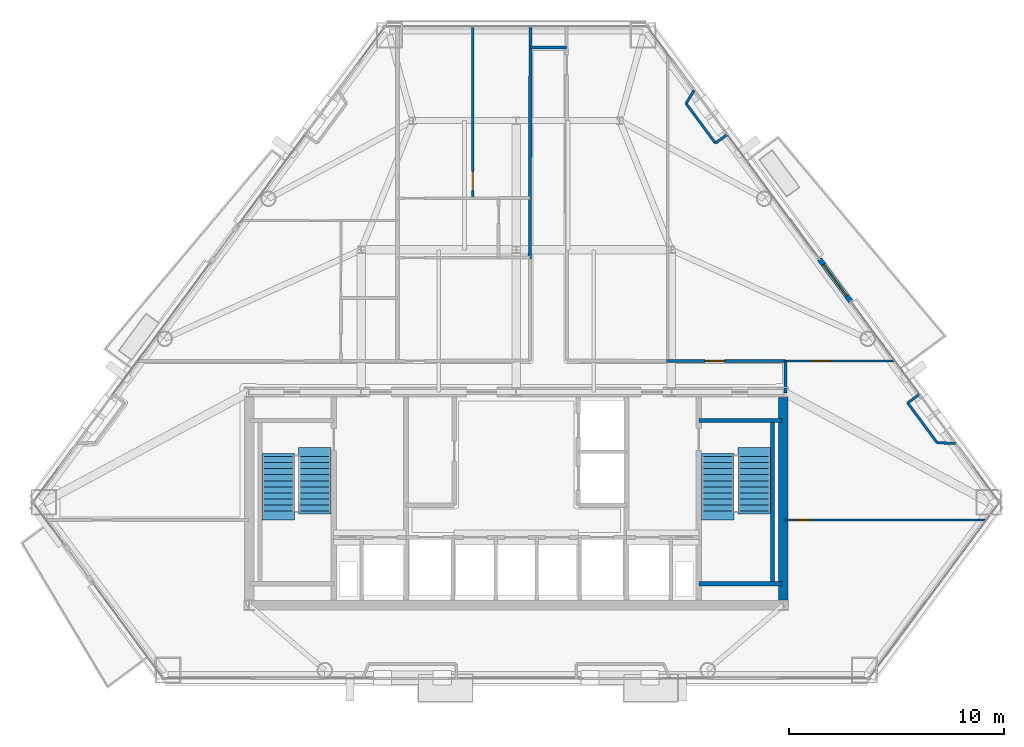
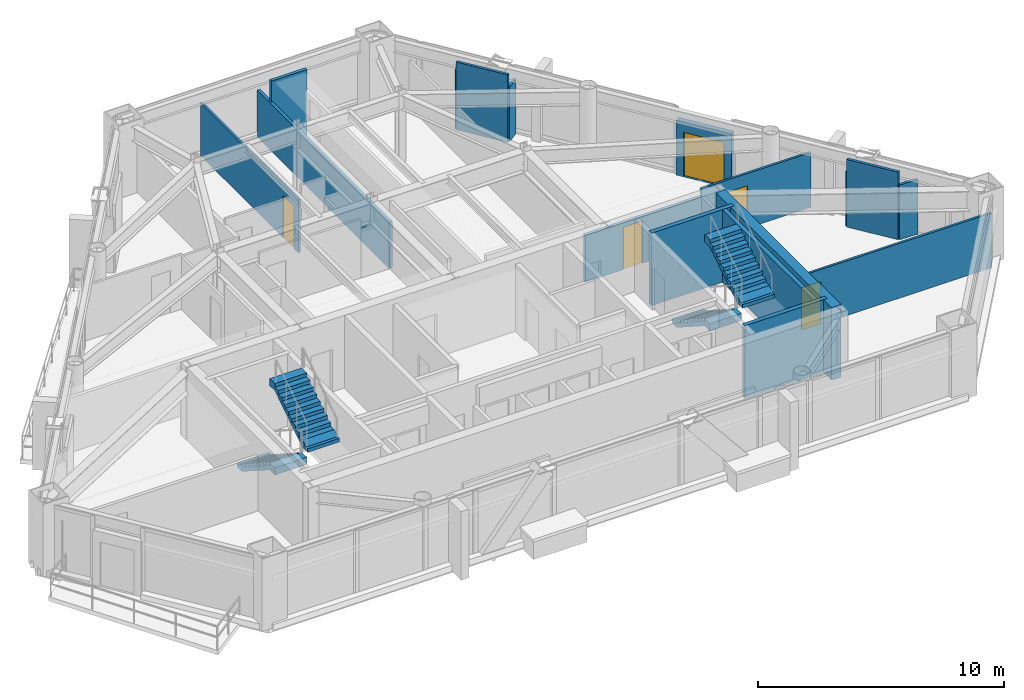
# One storey, part 10 of 13: 18 walls, 5 doors, 4 stair flights, 5 openings, 2 elements without a shape of their own.
"""IFC4 building model written with IfcOpenShell, lengths in metres."""

from ifc_helpers import new_model, si_unit, direction, frame, frame_2d, origin, place, context, subcontext, project, spatial, polyline, rectangle, outline, extrude, material, layer, layer_set, type_object, element, fill, aggregate, save


model = new_model("IFC4")

# Units and contexts
model_context = context("Model", 3, precision=1e-05, world=origin(), true_north=direction((0.0, 1.0)))
body_context = subcontext(model_context, "Body", "Model", "MODEL_VIEW")
ifc_project = project(units=[si_unit("LENGTHUNIT", "METRE"), si_unit("AREAUNIT", "SQUARE_METRE"), si_unit("VOLUMEUNIT", "CUBIC_METRE"), si_unit("PLANEANGLEUNIT", "RADIAN"), si_unit("MASSUNIT", "GRAM", prefix="KILO")], contexts=[model_context])

# Site, building, storey
site_placement = place(None, origin())
site = spatial("IfcSite", under=ifc_project, at=site_placement, CompositionType="ELEMENT")
building_placement = place(site_placement, origin())
building = spatial("IfcBuilding", under=site, at=building_placement, Name="Talgorran Terracotta Tower", CompositionType="ELEMENT")
storey_placement = place(building_placement, frame((0.0, 0.0, 106.800048828125)))
storey = spatial("IfcBuildingStorey", under=building, at=storey_placement, Name="L27", CompositionType="ELEMENT", Elevation=106.800048828125)

# Wall, opening, door
ifc_material_1 = material(Name="Concrete C40/50", Category="concrete")
ifc_layer_1 = layer(ifc_material_1, 0.239990234375, Name="WT_BALCONY_SPAND")
ifc_layer_set_1 = layer_set([ifc_layer_1], Name="Concrete C40/50")
wall_type_1 = type_object("IfcWallType", Name="WT_BALCONY_SPAND", PredefinedType="STANDARD", material=ifc_layer_set_1)
wall_1_placement = place(storey_placement, frame((15.52978515625, 0.010009765625, -0.01513671875), z_axis=(0.0, 0.0, 1.0), x_axis=(-0.594897308784, 0.803801711868, 0.0)))
wall_1 = element("IfcWall", 1, at=wall_1_placement, inside=storey, type_object=wall_type_1, Name="WL-L27-BALP-BAL-NE", PredefinedType="STANDARD", context=body_context, shape_type="SweptSolid", body=[
    extrude(rectangle(XDim=2.440185546875, YDim=0.239990234375, at=frame_2d((1.22021484375, 0.0))), origin(), (0.0, 0.0, 1.0), 2.728515625),
])
opening_1_placement = place(wall_1_placement, frame((0.320068359375, 0.0, 0.014892578125)))
opening_1 = element("IfcOpeningElement", 2, at=opening_1_placement, cuts=wall_1, Name="Opening D-BAL-L27-1", PredefinedType="OPENING", context=body_context, shape_type="SweptSolid", body=[
    extrude(rectangle(XDim=1.806048828125, YDim=2.203951171875, at=frame_2d((0.89990234375, 1.10205078125))), frame((0.0, 0.1298828125, 0.0), z_axis=(0.0, -1.0, 0.0), x_axis=(1.0, 0.0, 0.0)), (0.0, 0.0, 1.0), 0.260009765625),
])
ifc_material_2 = material(Name="Thermally Broken Aluminium", Category="aluminium")
door_type_1 = type_object("IfcDoorType", Name="DT_BALC_1800", OperationType="SLIDING_TO_LEFT", PredefinedType="DOOR", material=ifc_material_2)
door_1_placement = place(opening_1_placement, origin())
door_1 = element("IfcDoor", 3, at=door_1_placement, inside=storey, type_object=door_type_1, Name="DR-L27-BAL-BAL-NE", OperationType="SLIDING_TO_LEFT", OverallHeight=2.199951171875, OverallWidth=1.800048828125, PredefinedType="DOOR", context=body_context, shape_type="SweptSolid", body=[
    extrude(rectangle(XDim=1.800048828125, YDim=2.199951171875, at=frame_2d((0.89990234375, 1.10009765625))), frame((0.0, 0.02490234375, 0.0), z_axis=(0.0, -1.0, 0.0), x_axis=(1.0, 0.0, 0.0)), (0.0, 0.0, 1.0), 0.050048828125),
])
fill(opening_1, door_1)

# Walls
ifc_material_3 = material(Name="Concrete C50/60", Category="concrete")
ifc_layer_2 = layer(ifc_material_3, 0.199951171875, Name="WT_CORE_200")
ifc_layer_set_2 = layer_set([ifc_layer_2], Name="Concrete C50/60")
wall_type_2 = type_object("IfcWallType", Name="WT_CORE_200", PredefinedType="SOLIDWALL", material=ifc_layer_set_2)
for number, where, z_axis, x_axis, name in (
    (4, (8.47998046875, -5.52001953125, 0.0), (0.0, 0.0, 1.0), (1.0, 0.0, 0.0), "WL-L27-CW-ST2-N"),
    (5, (8.47998046875, -13.10009765625, 0.0), (0.0, 0.0, 1.0), (1.0, 0.0, 0.0), "WL-L27-CW-ST2-S"),
):
    element("IfcWall", number, at=place(storey_placement, frame(where, z_axis=z_axis, x_axis=x_axis)), inside=storey, type_object=wall_type_2, Name=name, PredefinedType="SOLIDWALL", context=body_context, shape_type="SweptSolid", body=[
        extrude(rectangle(XDim=3.8701171875, YDim=0.199951171875, at=frame_2d((1.93505859375, 0.0))), origin(), (0.0, 0.0, 1.0), 3.599853515625),
    ])
wall_2_placement = place(storey_placement, frame((11.89990234375, -13.10009765625, 0.0), z_axis=(0.0, 0.0, 1.0), x_axis=(0.0, 1.0, 0.0)))
element("IfcWall", 6, at=wall_2_placement, inside=storey, type_object=wall_type_2, Name="WL-L27-CW-ST2-E", PredefinedType="SOLIDWALL", context=body_context, shape_type="SweptSolid", body=[
    extrude(rectangle(XDim=7.580078125, YDim=0.199951171875, at=frame_2d((3.7900390625, 0.0))), origin(), (0.0, 0.0, 1.0), 3.599853515625),
])
ifc_material_4 = material(Name="Concrete C65/80", Category="concrete")
ifc_layer_3 = layer(ifc_material_4, 0.449951171875, Name="WT_CORE_EXT")
ifc_layer_set_3 = layer_set([ifc_layer_3], Name="Concrete C65/80")
wall_type_3 = type_object("IfcWallType", Name="WT_CORE_EXT", PredefinedType="SHEAR", material=ifc_layer_set_3)
wall_3_placement = place(storey_placement, frame((12.39990234375, -13.85009765625, 0.0), z_axis=(0.0, 0.0, 1.0), x_axis=(0.0, 1.0, 0.0)))
element("IfcWall", 7, at=wall_3_placement, inside=storey, type_object=wall_type_3, Name="WL-L27-CW-OUT-E", PredefinedType="SHEAR", context=body_context, shape_type="SweptSolid", body=[
    extrude(rectangle(XDim=9.400146484375, YDim=0.449951171875, at=frame_2d((4.7001953125, 0.0))), origin(), (0.0, 0.0, 1.0), 3.599853515625),
])
ifc_material_5 = material(Name="Fire-Rated Steel Stud Plasterboard", Category="steel")
ifc_layer_4 = layer(ifc_material_5, 0.14990234375, Name="WT_FIRE_150")
ifc_layer_set_4 = layer_set([ifc_layer_4], Name="Fire-Rated Steel Stud Plasterboard")
wall_type_4 = type_object("IfcWallType", Name="WT_FIRE_150", PredefinedType="PARTITIONING", material=ifc_layer_set_4)
wall_4_placement = place(storey_placement, frame((0.632080078125, 1.97998046875, 0.0), z_axis=(0.0, 0.0, 1.0), x_axis=(0.002830348232, 0.999995994556, 0.0)))
element("IfcWall", 8, at=wall_4_placement, inside=storey, type_object=wall_type_4, Name="WL-L27-W-L27-R06", PredefinedType="PARTITIONING", context=body_context, shape_type="SweptSolid", body=[
    extrude(rectangle(XDim=10.7822265625, YDim=0.14990234375, at=frame_2d((5.39111328125, 0.0))), origin(), (0.0, 0.0, 1.0), 2.324951171875),
])

# Wall, opening, door
wall_5_placement = place(storey_placement, frame((6.97998046875, -2.760009765625, 0.0), z_axis=(0.0, 0.0, 1.0), x_axis=(1.0, 0.0, 0.0)))
wall_5 = element("IfcWall", 9, at=wall_5_placement, inside=storey, type_object=wall_type_4, Name="WL-L27-W-L27-R11", PredefinedType="PARTITIONING", context=body_context, shape_type="SweptSolid", body=[
    extrude(rectangle(XDim=5.52001953125, YDim=0.14990234375, at=frame_2d((2.760009765625, 0.0))), origin(), (0.0, 0.0, 1.0), 2.324951171875),
])
opening_2_placement = place(wall_5_placement, frame((1.79248046875, 0.0, 0.0)))
opening_2 = element("IfcOpeningElement", 10, at=opening_2_placement, cuts=wall_5, Name="Opening DR-L27-R11", PredefinedType="OPENING", context=body_context, shape_type="SweptSolid", body=[
    extrude(rectangle(XDim=0.90590234375, YDim=2.10409765625, at=frame_2d((0.449951171875, 1.052001953125))), frame((0.0, 0.0849609375, 0.0), z_axis=(0.0, -1.0, 0.0), x_axis=(1.0, 0.0, 0.0)), (0.0, 0.0, 1.0), 0.169921875),
])
ifc_material_6 = material(Name="Fire-Rated Timber Core", Category="wood")
door_type_2 = type_object("IfcDoorType", Name="DT_FIRE_900", OperationType="NOTDEFINED", PredefinedType="DOOR", material=ifc_material_6)
door_2_placement = place(opening_2_placement, origin())
door_2 = element("IfcDoor", 11, at=door_2_placement, inside=storey, type_object=door_type_2, Name="DR-L27-R11", OperationType="SINGLE_SWING_LEFT", OverallHeight=2.10009765625, OverallWidth=0.89990234375, PredefinedType="DOOR", context=body_context, shape_type="SweptSolid", body=[
    extrude(rectangle(XDim=0.89990234375, YDim=2.10009765625, at=frame_2d((0.449951171875, 1.050048828125))), frame((0.0, 0.02490234375, 0.0), z_axis=(0.0, -1.0, 0.0), x_axis=(1.0, 0.0, 0.0)), (0.0, 0.0, 1.0), 0.050048828125),
])
fill(opening_2, door_2)

# Walls
wall_6_placement = place(storey_placement, frame((12.5, -4.239990234375, 0.0), z_axis=(0.0, 0.0, 1.0), x_axis=(0.0, 1.0, 0.0)))
element("IfcWall", 12, at=wall_6_placement, inside=storey, type_object=wall_type_4, Name="WL-L27-W-L27-R13", PredefinedType="PARTITIONING", context=body_context, shape_type="SweptSolid", body=[
    extrude(rectangle(XDim=1.47998046875, YDim=0.14990234375, at=frame_2d((0.739990234375, 0.0))), origin(), (0.0, 0.0, 1.0), 2.324951171875),
])
wall_7_placement = place(storey_placement, frame((0.659912109375, 11.800048828125, 0.0), z_axis=(0.0, 0.0, 1.0), x_axis=(1.0, 0.0, 0.0)))
element("IfcWall", 13, at=wall_7_placement, inside=storey, type_object=wall_type_4, Name="WL-L27-W-L27-R07", PredefinedType="PARTITIONING", context=body_context, shape_type="SweptSolid", body=[
    extrude(rectangle(XDim=1.68017578125, YDim=0.14990234375, at=frame_2d((0.840087890625, 0.0))), origin(), (0.0, 0.0, 1.0), 3.349853515625),
])

# Wall, opening, door
ifc_material_7 = material(Name="Lightweight Steel Stud Partition", Category="steel")
ifc_layer_5 = layer(ifc_material_7, 0.10498046875, Name="WT_PART_110")
ifc_layer_set_5 = layer_set([ifc_layer_5], Name="Lightweight Steel Stud Partition")
wall_type_5 = type_object("IfcWallType", Name="WT_PART_110", PredefinedType="PARTITIONING", material=ifc_layer_set_5)
wall_8_placement = place(storey_placement, frame((12.43994140625, -10.139892578125, 0.0), z_axis=(0.0, 0.0, 1.0), x_axis=(1.0, 0.0, 0.0)))
wall_8 = element("IfcWall", 14, at=wall_8_placement, inside=storey, type_object=wall_type_5, Name="WL-L27-W-L27-R33", PredefinedType="PARTITIONING", context=body_context, shape_type="SweptSolid", body=[
    extrude(rectangle(XDim=9.3818359375, YDim=0.10498046875, at=frame_2d((4.69091796875, 0.0))), origin(), (0.0, 0.0, 1.0), 2.71337890625),
])
opening_3_placement = place(wall_8_placement, frame((0.459716796875, 0.0, 0.0)))
opening_3 = element("IfcOpeningElement", 15, at=opening_3_placement, cuts=wall_8, Name="Opening DR-L27-R13", PredefinedType="OPENING", context=body_context, shape_type="SweptSolid", body=[
    extrude(rectangle(XDim=0.8858828125, YDim=2.10409765625, at=frame_2d((0.43994140625, 1.052001953125))), frame((0.0, 0.0625, 0.0), z_axis=(0.0, -1.0, 0.0), x_axis=(1.0, 0.0, 0.0)), (0.0, 0.0, 1.0), 0.125),
])
ifc_material_8 = material(Name="Solid-Core Painted Timber", Category="wood")
door_type_3 = type_object("IfcDoorType", Name="DT_INT_880", OperationType="NOTDEFINED", PredefinedType="DOOR", material=ifc_material_8)
door_3_placement = place(opening_3_placement, origin())
door_3 = element("IfcDoor", 16, at=door_3_placement, inside=storey, type_object=door_type_3, Name="DR-L27-R13", OperationType="SINGLE_SWING_LEFT", OverallHeight=2.10009765625, OverallWidth=0.8798828125, PredefinedType="DOOR", context=body_context, shape_type="SweptSolid", body=[
    extrude(rectangle(XDim=0.8798828125, YDim=2.10009765625, at=frame_2d((0.43994140625, 1.050048828125))), frame((0.0, 0.02490234375, 0.0), z_axis=(0.0, -1.0, 0.0), x_axis=(1.0, 0.0, 0.0)), (0.0, 0.0, 1.0), 0.050048828125),
])
fill(opening_3, door_3)

wall_9_placement = place(storey_placement, frame((-2.02001953125, 4.800048828125, 0.0), z_axis=(0.0, 0.0, 1.0), x_axis=(0.0, 1.0, 0.0)))
wall_9 = element("IfcWall", 17, at=wall_9_placement, inside=storey, type_object=wall_type_5, Name="WL-L27-W-L27-R30", PredefinedType="PARTITIONING", context=body_context, shape_type="SweptSolid", body=[
    extrude(rectangle(XDim=7.962158203125, YDim=0.10498046875, at=frame_2d((3.98095703125, 0.0))), origin(), (0.0, 0.0, 1.0), 2.616943359375),
])
opening_4_placement = place(wall_9_placement, frame((0.359375, 0.0, 0.0)))
opening_4 = element("IfcOpeningElement", 18, at=opening_4_placement, cuts=wall_9, Name="Opening DR-L27-R09", PredefinedType="OPENING", context=body_context, shape_type="SweptSolid", body=[
    extrude(rectangle(XDim=0.8858828125, YDim=2.10409765625, at=frame_2d((0.43994140625, 1.052001953125))), frame((0.0, 0.0625, 0.0), z_axis=(0.0, -1.0, 0.0), x_axis=(1.0, 0.0, 0.0)), (0.0, 0.0, 1.0), 0.125),
])
door_4_placement = place(opening_4_placement, origin())
door_4 = element("IfcDoor", 19, at=door_4_placement, inside=storey, type_object=door_type_3, Name="DR-L27-R09", OperationType="SINGLE_SWING_LEFT", OverallHeight=2.10009765625, OverallWidth=0.8798828125, PredefinedType="DOOR", context=body_context, shape_type="SweptSolid", body=[
    extrude(rectangle(XDim=0.8798828125, YDim=2.10009765625, at=frame_2d((0.43994140625, 1.050048828125))), frame((0.0, 0.02490234375, 0.0), z_axis=(0.0, -1.0, 0.0), x_axis=(1.0, 0.0, 0.0)), (0.0, 0.0, 1.0), 0.050048828125),
])
fill(opening_4, door_4)

wall_10_placement = place(storey_placement, frame((12.43994140625, -2.760009765625, 0.0), z_axis=(0.0, 0.0, 1.0), x_axis=(1.0, 0.0, 0.0)))
wall_10 = element("IfcWall", 20, at=wall_10_placement, inside=storey, type_object=wall_type_5, Name="WL-L27-W-L27-R32", PredefinedType="PARTITIONING", context=body_context, shape_type="SweptSolid", body=[
    extrude(rectangle(XDim=5.139892578125, YDim=0.10498046875, at=frame_2d((2.56982421875, 0.0))), origin(), (0.0, 0.0, 1.0), 2.71337890625),
])
opening_5_placement = place(wall_10_placement, frame((1.280029296875, 0.0, 0.0)))
opening_5 = element("IfcOpeningElement", 21, at=opening_5_placement, cuts=wall_10, Name="Opening DR-L27-R14", PredefinedType="OPENING", context=body_context, shape_type="SweptSolid", body=[
    extrude(rectangle(XDim=0.8858828125, YDim=2.10409765625, at=frame_2d((0.43994140625, 1.052001953125))), frame((0.0, 0.0625, 0.0), z_axis=(0.0, -1.0, 0.0), x_axis=(1.0, 0.0, 0.0)), (0.0, 0.0, 1.0), 0.125),
])
door_5_placement = place(opening_5_placement, origin())
door_5 = element("IfcDoor", 22, at=door_5_placement, inside=storey, type_object=door_type_3, Name="DR-L27-R14", OperationType="SINGLE_SWING_RIGHT", OverallHeight=2.10009765625, OverallWidth=0.8798828125, PredefinedType="DOOR", context=body_context, shape_type="SweptSolid", body=[
    extrude(rectangle(XDim=0.8798828125, YDim=2.10009765625, at=frame_2d((0.43994140625, 1.050048828125))), frame((0.0, 0.02490234375, 0.0), z_axis=(0.0, -1.0, 0.0), x_axis=(1.0, 0.0, 0.0)), (0.0, 0.0, 1.0), 0.050048828125),
])
fill(opening_5, door_5)

# Walls
ifc_material_9 = material(Name="Insulated Steel Stud Plasterboard", Category="steel")
ifc_layer_6 = layer(ifc_material_9, 0.1201171875, Name="WT_PART_120")
ifc_layer_set_6 = layer_set([ifc_layer_6], Name="Insulated Steel Stud Plasterboard")
wall_type_6 = type_object("IfcWallType", Name="WT_PART_120", PredefinedType="PARTITIONING", material=ifc_layer_set_6)
for number, where, z_axis, x_axis, name in (
    (23, (19.540771484375, -6.552490234375, 0.0), (0.0, 0.0, 1.0), (-0.594914508596, 0.803788981924, 0.0), "WL-L27-BW-L27-12"),
    (24, (9.248779296875, 7.353271484375, 0.0), (0.0, 0.0, 1.0), (-0.594914508596, 0.803788981924, 0.0), "WL-L27-BW-L27-17"),
):
    element("IfcWall", number, at=place(storey_placement, frame(where, z_axis=z_axis, x_axis=x_axis)), inside=storey, type_object=wall_type_6, Name=name, PredefinedType="PARTITIONING", context=body_context, shape_type="SweptSolid", body=[
        extrude(rectangle(XDim=2.29443359375, YDim=0.1201171875, at=frame_2d((1.147216796875, 0.0))), origin(), (0.0, 0.0, 1.0), 3.349853515625),
    ])
wall_11_placement = place(storey_placement, frame((20.397216796875, -6.58349609375, 0.0), z_axis=(0.0, 0.0, 1.0), x_axis=(-0.999345316153, 0.036179263156, 0.0)))
element("IfcWall", 25, at=wall_11_placement, inside=storey, type_object=wall_type_6, Name="WL-L27-BW-L27-11", PredefinedType="PARTITIONING", context=body_context, shape_type="SweptSolid", body=[
    extrude(rectangle(XDim=0.85693359375, YDim=0.1201171875, at=frame_2d((0.428466796875, 0.0))), origin(), (0.0, 0.0, 1.0), 2.71337890625),
])
wall_12_placement = place(storey_placement, frame((7.8837890625, 9.197509765625, 0.0), z_axis=(0.0, 0.0, 1.0), x_axis=(0.528079385195, 0.849195008777, 0.0)))
element("IfcWall", 26, at=wall_12_placement, inside=storey, type_object=wall_type_6, Name="WL-L27-BW-L27-18", PredefinedType="PARTITIONING", context=body_context, shape_type="SweptSolid", body=[
    extrude(rectangle(XDim=0.720703125, YDim=0.1201171875, at=frame_2d((0.3603515625, 0.0))), origin(), (0.0, 0.0, 1.0), 2.71337890625),
])
for number, where, z_axis, x_axis, name in (
    (27, (18.17578125, -4.708251953125, 0.0), (0.0, 0.0, 1.0), (0.803744328022, 0.594974835748, 0.0), "WL-L27-BW-L27-10"),
    (28, (9.787353515625, 7.751953125, 0.0), (0.0, 0.0, 1.0), (-0.803744328022, -0.594974835748, 0.0), "WL-L27-BW-L27-16"),
):
    element("IfcWall", number, at=place(storey_placement, frame(where, z_axis=z_axis, x_axis=x_axis)), inside=storey, type_object=wall_type_6, Name=name, PredefinedType="PARTITIONING", context=body_context, shape_type="SweptSolid", body=[
        extrude(rectangle(XDim=0.670166015625, YDim=0.1201171875, at=frame_2d((0.3349609375, 0.0))), origin(), (0.0, 0.0, 1.0), 2.71337890625),
    ])

# Stair, stair flights
stair_type = type_object("IfcStairType", Name="ST_FIRE_SCISSOR", PredefinedType="HALF_TURN_STAIR", material=ifc_material_1)
stair_1_placement = place(storey_placement, origin())
stair_1 = element("IfcStair", 29, at=stair_1_placement, inside=storey, type_object=stair_type, Name="L27 West Protected Fire Stair ST-01", PredefinedType="HALF_TURN_STAIR")
ifc_layer_7 = layer(ifc_material_1, 0.179931640625, Name="STF_RC_1500")
ifc_layer_set_7 = layer_set([ifc_layer_7], Name="Concrete C40/50")
stair_flight_type = type_object("IfcStairFlightType", Name="STF_RC_1500", PredefinedType="STRAIGHT", material=ifc_layer_set_7)
stair_flight_1_placement = place(storey_placement, frame((-11.050048828125, -7.199951171875, 0.0), z_axis=(0.0, 0.0, 1.0), x_axis=(0.0, -1.0, 0.0)))
stair_flight_1 = element("IfcStairFlight", 30, at=stair_flight_1_placement, type_object=stair_flight_type, Name="ST-01 flight 1", NumberOfRisers=10, NumberOfTreads=9, PredefinedType="STRAIGHT", RiserHeight=0.18, TreadLength=0.28, context=body_context, shape_type="SweptSolid", body=[
    extrude(outline(polyline([(-0.139892578125, 0.0), (-0.139892578125, 0.179931640625), (0.0, 0.179931640625), (0.280029296875, 0.360107421875), (0.56005859375, 0.360107421875), (0.56005859375, 0.5400390625), (0.840087890625, 0.5400390625), (0.840087890625, 0.719970703125), (1.1201171875, 0.719970703125), (1.1201171875, 0.89990234375), (1.39990234375, 0.89990234375), (1.39990234375, 1.080078125), (1.679931640625, 1.080078125), (1.679931640625, 1.260009765625), (1.9599609375, 1.260009765625), (1.9599609375, 1.43994140625), (2.239990234375, 1.43994140625), (2.239990234375, 1.6201171875), (2.52001953125, 1.6201171875), (2.52001953125, 1.800048828125), (2.93994140625, 1.800048828125), (2.93994140625, 1.44189453125), (2.52001953125, 1.44189453125), (0.277099609375, 0.0), (-0.139892578125, 0.0)])), frame((0.0, 0.75, 0.0), z_axis=(0.0, -1.0, 0.0), x_axis=(1.0, 0.0, 0.0)), (0.0, 0.0, 1.0), 1.5),
])
stair_flight_2_placement = place(storey_placement, frame((-9.35009765625, -9.719970703125, 1.800048828125), z_axis=(0.0, 0.0, 1.0), x_axis=(0.0, 1.0, 0.0)))
stair_flight_2 = element("IfcStairFlight", 31, at=stair_flight_2_placement, type_object=stair_flight_type, Name="ST-01 flight 2", NumberOfRisers=10, NumberOfTreads=9, PredefinedType="STRAIGHT", RiserHeight=0.18, TreadLength=0.28, context=body_context, shape_type="SweptSolid", body=[
    extrude(outline(polyline([(-0.139892578125, 0.0), (-0.139892578125, 0.179931640625), (0.0, 0.179931640625), (0.280029296875, 0.360107421875), (0.56005859375, 0.360107421875), (0.56005859375, 0.5400390625), (0.840087890625, 0.5400390625), (0.840087890625, 0.719970703125), (1.1201171875, 0.719970703125), (1.1201171875, 0.89990234375), (1.39990234375, 0.89990234375), (1.39990234375, 1.080078125), (1.679931640625, 1.080078125), (1.679931640625, 1.260009765625), (1.9599609375, 1.260009765625), (1.9599609375, 1.43994140625), (2.239990234375, 1.43994140625), (2.239990234375, 1.6201171875), (2.52001953125, 1.6201171875), (2.52001953125, 1.800048828125), (2.93994140625, 1.800048828125), (2.93994140625, 1.44189453125), (2.52001953125, 1.44189453125), (0.277099609375, 0.0), (-0.139892578125, 0.0)])), frame((0.0, 0.75, 0.0), z_axis=(0.0, -1.0, 0.0), x_axis=(1.0, 0.0, 0.0)), (0.0, 0.0, 1.0), 1.5),
])
aggregate(stair_1, [stair_flight_1, stair_flight_2])

stair_2_placement = place(storey_placement, origin())
stair_2 = element("IfcStair", 32, at=stair_2_placement, inside=storey, type_object=stair_type, Name="L27 East Protected Fire Stair ST-02", PredefinedType="HALF_TURN_STAIR")
stair_flight_3_placement = place(storey_placement, frame((9.35009765625, -7.199951171875, 0.0), z_axis=(0.0, 0.0, 1.0), x_axis=(0.0, -1.0, 0.0)))
stair_flight_3 = element("IfcStairFlight", 33, at=stair_flight_3_placement, type_object=stair_flight_type, Name="ST-02 flight 1", NumberOfRisers=10, NumberOfTreads=9, PredefinedType="STRAIGHT", RiserHeight=0.18, TreadLength=0.28, context=body_context, shape_type="SweptSolid", body=[
    extrude(outline(polyline([(-0.139892578125, 0.0), (-0.139892578125, 0.179931640625), (0.0, 0.179931640625), (0.280029296875, 0.360107421875), (0.56005859375, 0.360107421875), (0.56005859375, 0.5400390625), (0.840087890625, 0.5400390625), (0.840087890625, 0.719970703125), (1.1201171875, 0.719970703125), (1.1201171875, 0.89990234375), (1.39990234375, 0.89990234375), (1.39990234375, 1.080078125), (1.679931640625, 1.080078125), (1.679931640625, 1.260009765625), (1.9599609375, 1.260009765625), (1.9599609375, 1.43994140625), (2.239990234375, 1.43994140625), (2.239990234375, 1.6201171875), (2.52001953125, 1.6201171875), (2.52001953125, 1.800048828125), (2.93994140625, 1.800048828125), (2.93994140625, 1.44189453125), (2.52001953125, 1.44189453125), (0.277099609375, 0.0), (-0.139892578125, 0.0)])), frame((0.0, 0.75, 0.0), z_axis=(0.0, -1.0, 0.0), x_axis=(1.0, 0.0, 0.0)), (0.0, 0.0, 1.0), 1.5),
])
stair_flight_4_placement = place(storey_placement, frame((11.050048828125, -9.719970703125, 1.800048828125), z_axis=(0.0, 0.0, 1.0), x_axis=(0.0, 1.0, 0.0)))
stair_flight_4 = element("IfcStairFlight", 34, at=stair_flight_4_placement, type_object=stair_flight_type, Name="ST-02 flight 2", NumberOfRisers=10, NumberOfTreads=9, PredefinedType="STRAIGHT", RiserHeight=0.18, TreadLength=0.28, context=body_context, shape_type="SweptSolid", body=[
    extrude(outline(polyline([(-0.139892578125, 0.0), (-0.139892578125, 0.179931640625), (0.0, 0.179931640625), (0.280029296875, 0.360107421875), (0.56005859375, 0.360107421875), (0.56005859375, 0.5400390625), (0.840087890625, 0.5400390625), (0.840087890625, 0.719970703125), (1.1201171875, 0.719970703125), (1.1201171875, 0.89990234375), (1.39990234375, 0.89990234375), (1.39990234375, 1.080078125), (1.679931640625, 1.080078125), (1.679931640625, 1.260009765625), (1.9599609375, 1.260009765625), (1.9599609375, 1.43994140625), (2.239990234375, 1.43994140625), (2.239990234375, 1.6201171875), (2.52001953125, 1.6201171875), (2.52001953125, 1.800048828125), (2.93994140625, 1.800048828125), (2.93994140625, 1.44189453125), (2.52001953125, 1.44189453125), (0.277099609375, 0.0), (-0.139892578125, 0.0)])), frame((0.0, 0.75, 0.0), z_axis=(0.0, -1.0, 0.0), x_axis=(1.0, 0.0, 0.0)), (0.0, 0.0, 1.0), 1.5),
])
aggregate(stair_2, [stair_flight_3, stair_flight_4])

save(model, "model.ifc")
